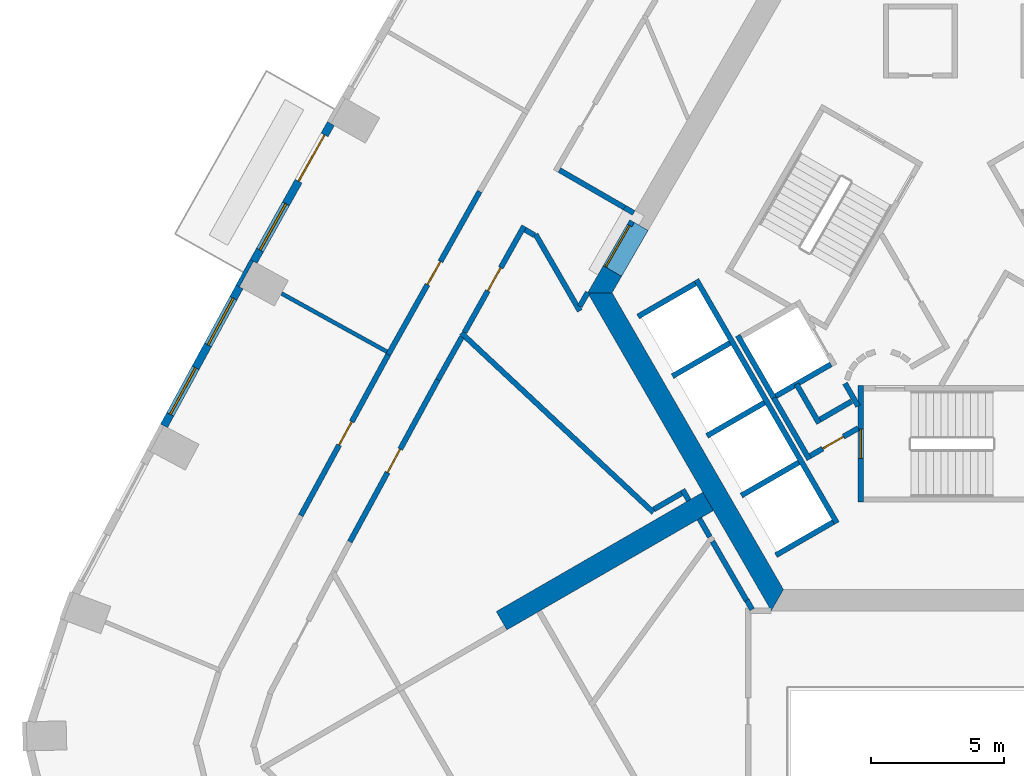
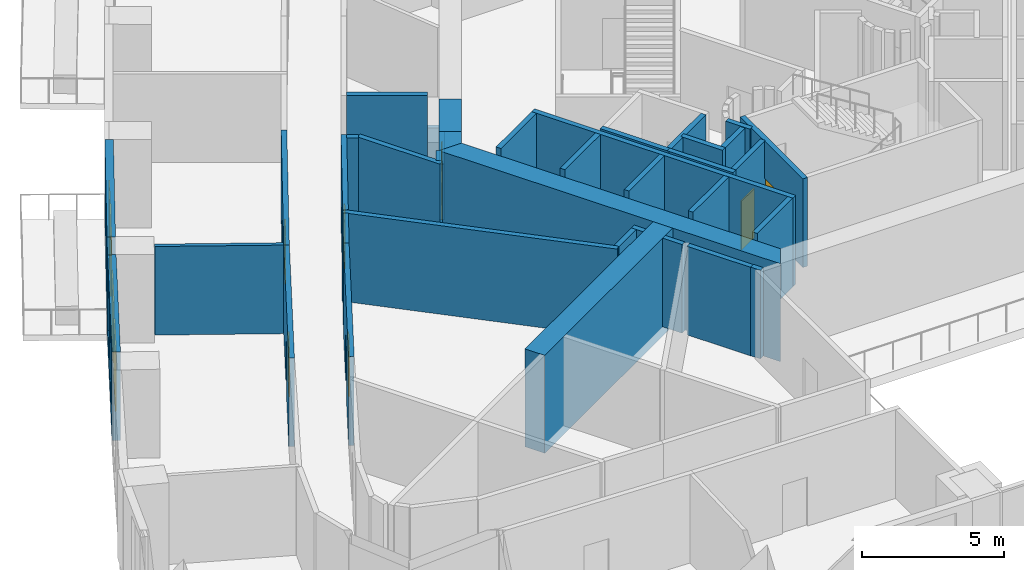
# One storey, part 5 of 15: 39 walls, 8 doors, 3 windows, 11 openings.
"""IFC4 building model written with IfcOpenShell, lengths in metres."""

from ifc_helpers import new_model, si_unit, direction, frame, frame_2d, origin, place, context, subcontext, project, spatial, polyline, rectangle, outline, extrude, material, layer, layer_set, type_object, element, fill, save


model = new_model("IFC4")

# Units and contexts
model_context = context("Model", 3, precision=1e-05, world=origin(), true_north=direction((0.0, 1.0)))
body_context = subcontext(model_context, "Body", "Model", "MODEL_VIEW")
ifc_project = project(units=[si_unit("LENGTHUNIT", "METRE"), si_unit("AREAUNIT", "SQUARE_METRE"), si_unit("VOLUMEUNIT", "CUBIC_METRE"), si_unit("PLANEANGLEUNIT", "RADIAN"), si_unit("MASSUNIT", "GRAM", prefix="KILO")], contexts=[model_context])

# Site, building, storey
site_placement = place(None, origin())
site = spatial("IfcSite", under=ifc_project, at=site_placement, CompositionType="ELEMENT")
building_placement = place(site_placement, origin())
building = spatial("IfcBuilding", under=site, at=building_placement, Name="Entoto Arch Interchange Tower", CompositionType="ELEMENT")
storey_placement = place(building_placement, frame((0.0, 0.0, 171.800048828125)))
storey = spatial("IfcBuildingStorey", under=building, at=storey_placement, Name="L38", CompositionType="ELEMENT", Elevation=171.800048828125)

# Wall
ifc_material_1 = material(Name="Concrete C50/60", Category="concrete")
ifc_layer_1 = layer(ifc_material_1, 0.800048828125)
ifc_layer_set_1 = layer_set([ifc_layer_1], Name="Concrete C50/60")
wall_type_1 = type_object("IfcWallType", Name="Buttress wall 800 C50/60", PredefinedType="SHEAR", material=ifc_layer_set_1)
wall_1_placement = place(storey_placement, frame((-9.31005859375, -5.375, -0.400146484375), z_axis=(0.0, 0.0, 1.0), x_axis=(-0.866017533419, -0.500013631625, 0.0)))
element("IfcWall", 1, at=wall_1_placement, inside=storey, type_object=wall_type_1, Name="Buttress wall SW L38", PredefinedType="SHEAR", context=body_context, shape_type="SweptSolid", body=[
    extrude(rectangle(XDim=8.999755859375, YDim=0.800048828125, at=frame_2d((4.5, 0.0))), origin(), (0.0, 0.0, 1.0), 4.2001953125),
])

# Wall, opening, door
ifc_material_2 = material(Name="Reinforced concrete C40/50", Category="concrete")
ifc_layer_2 = layer(ifc_material_2, 0.199951171875)
ifc_layer_set_2 = layer_set([ifc_layer_2], Name="Reinforced concrete C40/50")
wall_type_2 = type_object("IfcWallType", Name="CORE GAP INFILL WALL", PredefinedType="PARTITIONING", material=ifc_layer_set_2)
wall_2_placement = place(storey_placement, frame((-12.179931640625, 5.201904296875, 0.0), z_axis=(0.0, 0.0, 1.0), x_axis=(-0.50002537861, -0.866010750942, 0.0)))
wall_2 = element("IfcWall", 2, at=wall_2_placement, inside=storey, type_object=wall_type_2, Name="wall:L38:gap3", PredefinedType="PARTITIONING", context=body_context, shape_type="SweptSolid", body=[
    extrude(rectangle(XDim=2.0, YDim=0.199951171875, at=frame_2d((1.0, 0.0))), origin(), (0.0, 0.0, 1.0), 2.39990234375),
])
opening_1_placement = place(wall_2_placement, frame((0.18994140625, 0.0, 0.0)))
opening_1 = element("IfcOpeningElement", 3, at=opening_1_placement, cuts=wall_2, Name="Opening L38-D93", PredefinedType="OPENING", context=body_context, shape_type="SweptSolid", body=[
    extrude(rectangle(XDim=1.800048828125, YDim=2.10009765625, at=frame_2d((0.89990234375, 1.050048828125))), frame((0.0, 0.10986328125, 0.0), z_axis=(0.0, -1.0, 0.0), x_axis=(1.0, 0.0, 0.0)), (0.0, 0.0, 1.0), 0.219970703125),
])
ifc_material_3 = material(Name="Fire-rated Steel S235 door and frame", Category="steel")
door_type_1 = type_object("IfcDoorType", Name="DOOR FD-18 1800x2100", OperationType="DOUBLE_DOOR_SINGLE_SWING", PredefinedType="DOOR", material=ifc_material_3)
door_1_placement = place(opening_1_placement, origin())
door_1 = element("IfcDoor", 4, at=door_1_placement, inside=storey, type_object=door_type_1, Name="door:L38:gap3", OperationType="DOUBLE_DOOR_SINGLE_SWING", OverallHeight=2.10009765625, OverallWidth=1.800048828125, PredefinedType="DOOR", context=body_context, shape_type="SweptSolid", body=[
    extrude(rectangle(XDim=1.800048828125, YDim=2.10009765625, at=frame_2d((0.89990234375, 1.050048828125))), frame((0.0, 0.02490234375, 0.0), z_axis=(0.0, -1.0, 0.0), x_axis=(1.0, 0.0, 0.0)), (0.0, 0.0, 1.0), 0.050048828125),
])
fill(opening_1, door_1)

# Walls
ifc_layer_3 = layer(ifc_material_1, 0.800048828125)
ifc_layer_set_3 = layer_set([ifc_layer_3], Name="Concrete C50/60")
wall_type_3 = type_object("IfcWallType", Name="Core wall 800 C50/60", PredefinedType="SHEAR", material=ifc_layer_set_3)
wall_3_placement = place(storey_placement, frame((0.0, 0.0, -0.400146484375)))
element("IfcWall", 5, at=wall_3_placement, inside=storey, type_object=wall_type_3, Name="Core wall NW L38", PredefinedType="SHEAR", context=body_context, shape_type="SweptSolid", body=[
    extrude(outline(polyline([(-12.574951171875, 3.1201171875), (-13.26708984375, 3.52001953125), (-13.85595703125, 2.5), (-12.93310546875, 2.5), (-12.574951171875, 3.1201171875)])), origin(), (0.0, 0.0, 1.0), 4.2001953125),
])
wall_4_placement = place(storey_placement, frame((0.0, 0.0, 3.599853515625)))
element("IfcWall", 6, at=wall_4_placement, inside=storey, type_object=wall_type_3, Name="Core wall lintel NW L38", PredefinedType="SHEAR", context=body_context, shape_type="SweptSolid", body=[
    extrude(outline(polyline([(-13.26708984375, 3.52001953125), (-12.574951171875, 3.1201171875), (-11.574951171875, 4.85205078125), (-12.26708984375, 5.251953125), (-13.26708984375, 3.52001953125)])), origin(), (0.0, 0.0, 1.0), 0.2001953125),
])
wall_5_placement = place(storey_placement, frame((0.0, 0.0, -0.400146484375)))
element("IfcWall", 7, at=wall_5_placement, inside=storey, type_object=wall_type_3, Name="Core wall SW L38", PredefinedType="SHEAR", context=body_context, shape_type="SweptSolid", body=[
    extrude(outline(polyline([(-13.85595703125, 2.5), (-6.927978515625, -9.5), (-6.466064453125, -8.699951171875), (-12.93310546875, 2.5), (-13.85595703125, 2.5)])), origin(), (0.0, 0.0, 1.0), 4.2001953125),
])
ifc_material_4 = material(Name="Concrete C40/50", Category="concrete")
ifc_layer_4 = layer(ifc_material_4, 0.199951171875)
ifc_layer_set_4 = layer_set([ifc_layer_4], Name="Concrete C40/50")
wall_type_4 = type_object("IfcWallType", Name="LIFT SHAFT WALL 200", PredefinedType="STANDARD", material=ifc_layer_set_4)
wall_6_placement = place(storey_placement, frame((-8.19189453125, 0.887939453125, 0.0), z_axis=(0.0, 0.0, 1.0), x_axis=(0.49994636267, -0.866056369097, 0.0)))
element("IfcWall", 8, at=wall_6_placement, inside=storey, type_object=wall_type_4, Name="Shaft wall SW1 back", PredefinedType="STANDARD", context=body_context, shape_type="SweptSolid", body=[
    extrude(rectangle(XDim=2.800048828125, YDim=0.199951171875, at=frame_2d((1.39990234375, 0.0))), origin(), (0.0, 0.0, 1.0), 3.800048828125),
])
wall_7_placement = place(storey_placement, frame((-4.677001953125, -0.199951171875, 0.0), z_axis=(0.0, 0.0, 1.0), x_axis=(-0.865973769406, -0.500089422704, 0.0)))
element("IfcWall", 9, at=wall_7_placement, inside=storey, type_object=wall_type_4, Name="Shaft wall SW1 cross 2", PredefinedType="STANDARD", context=body_context, shape_type="SweptSolid", body=[
    extrude(rectangle(XDim=2.3994140625, YDim=0.199951171875, at=frame_2d((1.19970703125, 0.0))), origin(), (0.0, 0.0, 1.0), 3.800048828125),
])
wall_8_placement = place(storey_placement, frame((-9.7509765625, 2.989990234375, 0.0), z_axis=(0.0, 0.0, 1.0), x_axis=(0.50000090737, -0.866024879913, 0.0)))
element("IfcWall", 10, at=wall_8_placement, inside=storey, type_object=wall_type_4, Name="Shaft wall SW3 front", PredefinedType="STANDARD", context=body_context, shape_type="SweptSolid", body=[
    extrude(rectangle(XDim=10.60009765625, YDim=0.199951171875, at=frame_2d((5.300048828125, 0.0))), origin(), (0.0, 0.0, 1.0), 3.800048828125),
])
wall_9_placement = place(storey_placement, frame((-9.7880859375, 2.85302734375, 0.0), z_axis=(0.0, 0.0, 1.0), x_axis=(-0.865998541277, -0.500046524342, 0.0)))
element("IfcWall", 11, at=wall_9_placement, inside=storey, type_object=wall_type_4, Name="Shaft wall SW3 cross 1", PredefinedType="STANDARD", context=body_context, shape_type="SweptSolid", body=[
    extrude(rectangle(XDim=2.499755859375, YDim=0.199951171875, at=frame_2d((1.25, 0.0))), origin(), (0.0, 0.0, 1.0), 3.800048828125),
])
for number, where, z_axis, x_axis, name in (
    (12, (-8.488037109375, 0.60205078125, 0.0), (0.0, 0.0, 1.0), (-0.866022959057, -0.500004234368, 0.0), "Shaft wall SW3 cross 2"),
    (13, (-7.18798828125, -1.64990234375, 0.0), (0.0, 0.0, 1.0), (-0.866022959057, -0.500004234368, 0.0), "Shaft wall SW3 cross 3"),
    (14, (-5.887939453125, -3.902099609375, 0.0), (0.0, 0.0, 1.0), (-0.866022959057, -0.500004234368, 0.0), "Shaft wall SW3 cross 4"),
    (15, (-4.587890625, -6.153076171875, 0.0), (0.0, 0.0, 1.0), (-0.866022959057, -0.500004234368, 0.0), "Shaft wall SW3 cross 5"),
):
    element("IfcWall", number, at=place(storey_placement, frame(where, z_axis=z_axis, x_axis=x_axis)), inside=storey, type_object=wall_type_4, Name=name, PredefinedType="STANDARD", context=body_context, shape_type="SweptSolid", body=[
        extrude(rectangle(XDim=2.5, YDim=0.199951171875, at=frame_2d((1.25, 0.0))), origin(), (0.0, 0.0, 1.0), 3.800048828125),
    ])
ifc_material_5 = material(Name="Gypsum board partition on steel studs", Category="steel")
ifc_layer_5 = layer(ifc_material_5, 0.14990234375)
ifc_layer_set_5 = layer_set([ifc_layer_5], Name="Gypsum board partition on steel studs")
wall_type_5 = type_object("IfcWallType", Name="PARTITION 150", PredefinedType="PARTITIONING", material=ifc_layer_set_5)
wall_10_placement = place(storey_placement, frame((-21.431884765625, 0.278076171875, 0.0), z_axis=(0.0, 0.0, 1.0), x_axis=(-0.875412579047, 0.483376474857, 0.0)))
element("IfcWall", 16, at=wall_10_placement, inside=storey, type_object=wall_type_5, Name="wall:L38:p143", PredefinedType="PARTITIONING", context=body_context, shape_type="SweptSolid", body=[
    extrude(rectangle(XDim=4.530517578125, YDim=0.14990234375, at=frame_2d((2.26513671875, 0.0))), origin(), (0.0, 0.0, 1.0), 3.800048828125),
])
ifc_layer_6 = layer(ifc_material_5, 0.199951171875)
ifc_layer_set_6 = layer_set([ifc_layer_6], Name="Gypsum board partition on steel studs")
wall_type_6 = type_object("IfcWallType", Name="PARTITION 200", PredefinedType="PARTITIONING", material=ifc_layer_set_6)
wall_11_placement = place(storey_placement, frame((-14.922119140625, 7.131103515625, 0.0), z_axis=(0.0, 0.0, 1.0), x_axis=(0.866124025492, -0.499829143273, 0.0)))
element("IfcWall", 17, at=wall_11_placement, inside=storey, type_object=wall_type_6, Name="wall:L38:p004", PredefinedType="PARTITIONING", context=body_context, shape_type="SweptSolid", body=[
    extrude(rectangle(XDim=2.83935546875, YDim=0.199951171875, at=frame_2d((1.419677734375, 0.0))), origin(), (0.0, 0.0, 1.0), 3.800048828125),
])
wall_12_placement = place(storey_placement, frame((-13.85009765625, 2.513916015625, 0.0), z_axis=(0.0, 0.0, 1.0), x_axis=(-0.500418219013, -0.865783810244, 0.0)))
element("IfcWall", 18, at=wall_12_placement, inside=storey, type_object=wall_type_6, Name="wall:L38:p027", PredefinedType="PARTITIONING", context=body_context, shape_type="SweptSolid", body=[
    extrude(rectangle(XDim=0.607421875, YDim=0.199951171875, at=frame_2d((0.3037109375, 0.0))), origin(), (0.0, 0.0, 1.0), 3.800048828125),
])
wall_13_placement = place(storey_placement, frame((-14.154052734375, 1.81494140625, 0.0), z_axis=(0.0, 0.0, 1.0), x_axis=(-0.500038857296, 0.866002968352, 0.0)))
element("IfcWall", 19, at=wall_13_placement, inside=storey, type_object=wall_type_6, Name="wall:L38:p028", PredefinedType="PARTITIONING", context=body_context, shape_type="SweptSolid", body=[
    extrude(rectangle(XDim=3.339599609375, YDim=0.199951171875, at=frame_2d((1.669921875, 0.0))), origin(), (0.0, 0.0, 1.0), 3.800048828125),
])
wall_14_placement = place(storey_placement, frame((-15.860107421875, 4.6708984375, 0.0), z_axis=(0.0, 0.0, 1.0), x_axis=(-0.866047486323, 0.49996174997, 0.0)))
element("IfcWall", 20, at=wall_14_placement, inside=storey, type_object=wall_type_6, Name="wall:L38:p029", PredefinedType="PARTITIONING", context=body_context, shape_type="SweptSolid", body=[
    extrude(rectangle(XDim=0.412109375, YDim=0.199951171875, at=frame_2d((0.2060546875, 0.0))), origin(), (0.0, 0.0, 1.0), 3.800048828125),
])

# Wall, opening, door
wall_15_placement = place(storey_placement, frame((-16.2548828125, 5.013916015625, 0.0), z_axis=(0.0, 0.0, 1.0), x_axis=(-0.488988017817, -0.87229050117, 0.0)))
wall_15 = element("IfcWall", 21, at=wall_15_placement, inside=storey, type_object=wall_type_6, Name="wall:L38:p030", PredefinedType="PARTITIONING", context=body_context, shape_type="SweptSolid", body=[
    extrude(rectangle(XDim=4.599365234375, YDim=0.199951171875, at=frame_2d((2.2998046875, 0.0))), origin(), (0.0, 0.0, 1.0), 3.800048828125),
])
opening_2_placement = place(wall_15_placement, frame((1.800048828125, 0.0, 0.0)))
opening_2 = element("IfcOpeningElement", 22, at=opening_2_placement, cuts=wall_15, Name="Opening L38-D17", PredefinedType="OPENING", context=body_context, shape_type="SweptSolid", body=[
    extrude(rectangle(XDim=1.0, YDim=2.10009765625, at=frame_2d((0.5, 1.050048828125))), frame((0.0, 0.10986328125, 0.0), z_axis=(0.0, -1.0, 0.0), x_axis=(1.0, 0.0, 0.0)), (0.0, 0.0, 1.0), 0.219970703125),
])
ifc_material_6 = material(Name="Timber door leaf in Steel S235 frame", Category="steel")
door_type_2 = type_object("IfcDoorType", Name="DOOR DS-10 1000x2100", OperationType="SINGLE_SWING_LEFT", PredefinedType="DOOR", material=ifc_material_6)
door_2_placement = place(opening_2_placement, origin())
door_2 = element("IfcDoor", 23, at=door_2_placement, inside=storey, type_object=door_type_2, Name="door:L38:17", OperationType="SINGLE_SWING_LEFT", OverallHeight=2.10009765625, OverallWidth=1.0, PredefinedType="DOOR", context=body_context, shape_type="SweptSolid", body=[
    extrude(rectangle(XDim=1.0, YDim=2.10009765625, at=frame_2d((0.5, 1.050048828125))), frame((0.0, 0.02490234375, 0.0), z_axis=(0.0, -1.0, 0.0), x_axis=(1.0, 0.0, 0.0)), (0.0, 0.0, 1.0), 0.050048828125),
])
fill(opening_2, door_2)

# Wall
wall_16_placement = place(storey_placement, frame((-18.60205078125, 0.827880859375, 0.0), z_axis=(0.0, 0.0, 1.0), x_axis=(-0.488969229043, -0.872301033502, 0.0)))
element("IfcWall", 24, at=wall_16_placement, inside=storey, type_object=wall_type_6, Name="wall:L38:p032", PredefinedType="PARTITIONING", context=body_context, shape_type="SweptSolid", body=[
    extrude(rectangle(XDim=1.848876953125, YDim=0.199951171875, at=frame_2d((0.92431640625, 0.0))), origin(), (0.0, 0.0, 1.0), 3.800048828125),
])

# Wall, opening, door
wall_17_placement = place(storey_placement, frame((-19.506103515625, -0.784912109375, 0.0), z_axis=(0.0, 0.0, 1.0), x_axis=(-0.477513909405, -0.878624189472, 0.0)))
wall_17 = element("IfcWall", 25, at=wall_17_placement, inside=storey, type_object=wall_type_6, Name="wall:L38:p033", PredefinedType="PARTITIONING", context=body_context, shape_type="SweptSolid", body=[
    extrude(rectangle(XDim=6.956298828125, YDim=0.199951171875, at=frame_2d((3.47802734375, 0.0))), origin(), (0.0, 0.0, 1.0), 3.800048828125),
])
opening_3_placement = place(wall_17_placement, frame((2.97802734375, 0.0, 0.0)))
opening_3 = element("IfcOpeningElement", 26, at=opening_3_placement, cuts=wall_17, Name="Opening L38-D19", PredefinedType="OPENING", context=body_context, shape_type="SweptSolid", body=[
    extrude(rectangle(XDim=1.0, YDim=2.10009765625, at=frame_2d((0.5, 1.050048828125))), frame((0.0, 0.10986328125, 0.0), z_axis=(0.0, -1.0, 0.0), x_axis=(1.0, 0.0, 0.0)), (0.0, 0.0, 1.0), 0.219970703125),
])
door_3_placement = place(opening_3_placement, origin())
door_3 = element("IfcDoor", 27, at=door_3_placement, inside=storey, type_object=door_type_2, Name="door:L38:19", OperationType="SINGLE_SWING_LEFT", OverallHeight=2.10009765625, OverallWidth=1.0, PredefinedType="DOOR", context=body_context, shape_type="SweptSolid", body=[
    extrude(rectangle(XDim=1.0, YDim=2.10009765625, at=frame_2d((0.5, 1.050048828125))), frame((0.0, 0.02490234375, 0.0), z_axis=(0.0, -1.0, 0.0), x_axis=(1.0, 0.0, 0.0)), (0.0, 0.0, 1.0), 0.050048828125),
])
fill(opening_3, door_3)

wall_18_placement = place(storey_placement, frame((-21.381103515625, 0.1650390625, 0.0), z_axis=(0.0, 0.0, 1.0), x_axis=(0.489014139272, 0.872275857509, 0.0)))
wall_18 = element("IfcWall", 28, at=wall_18_placement, inside=storey, type_object=wall_type_6, Name="wall:L38:p068", PredefinedType="PARTITIONING", context=body_context, shape_type="SweptSolid", body=[
    extrude(rectangle(XDim=7.057373046875, YDim=0.199951171875, at=frame_2d((3.52880859375, 0.0))), origin(), (0.0, 0.0, 1.0), 3.800048828125),
])
opening_4_placement = place(wall_18_placement, frame((3.029052734375, 0.0, 0.0)))
opening_4 = element("IfcOpeningElement", 29, at=opening_4_placement, cuts=wall_18, Name="Opening L38-D10", PredefinedType="OPENING", context=body_context, shape_type="SweptSolid", body=[
    extrude(rectangle(XDim=1.0, YDim=2.10009765625, at=frame_2d((0.5, 1.050048828125))), frame((0.0, 0.10986328125, 0.0), z_axis=(0.0, -1.0, 0.0), x_axis=(1.0, 0.0, 0.0)), (0.0, 0.0, 1.0), 0.219970703125),
])
door_4_placement = place(opening_4_placement, origin())
door_4 = element("IfcDoor", 30, at=door_4_placement, inside=storey, type_object=door_type_2, Name="door:L38:10", OperationType="SINGLE_SWING_RIGHT", OverallHeight=2.10009765625, OverallWidth=1.0, PredefinedType="DOOR", context=body_context, shape_type="SweptSolid", body=[
    extrude(rectangle(XDim=1.0, YDim=2.10009765625, at=frame_2d((0.5, 1.050048828125))), frame((0.0, 0.02490234375, 0.0), z_axis=(0.0, -1.0, 0.0), x_axis=(1.0, 0.0, 0.0)), (0.0, 0.0, 1.0), 0.050048828125),
])
fill(opening_4, door_4)

wall_19_placement = place(storey_placement, frame((-24.679931640625, -5.906005859375, 0.0), z_axis=(0.0, 0.0, 1.0), x_axis=(0.47757676389, 0.878590026459, 0.0)))
wall_19 = element("IfcWall", 31, at=wall_19_placement, inside=storey, type_object=wall_type_6, Name="wall:L38:p071", PredefinedType="PARTITIONING", context=body_context, shape_type="SweptSolid", body=[
    extrude(rectangle(XDim=6.909912109375, YDim=0.199951171875, at=frame_2d((3.455078125, 0.0))), origin(), (0.0, 0.0, 1.0), 3.800048828125),
])
opening_5_placement = place(wall_19_placement, frame((3.029052734375, 0.0, 0.0)))
opening_5 = element("IfcOpeningElement", 32, at=opening_5_placement, cuts=wall_19, Name="Opening L38-D11", PredefinedType="OPENING", context=body_context, shape_type="SweptSolid", body=[
    extrude(rectangle(XDim=1.0, YDim=2.10009765625, at=frame_2d((0.5, 1.050048828125))), frame((0.0, 0.10986328125, 0.0), z_axis=(0.0, -1.0, 0.0), x_axis=(1.0, 0.0, 0.0)), (0.0, 0.0, 1.0), 0.219970703125),
])
door_5_placement = place(opening_5_placement, origin())
door_5 = element("IfcDoor", 33, at=door_5_placement, inside=storey, type_object=door_type_2, Name="door:L38:11", OperationType="SINGLE_SWING_LEFT", OverallHeight=2.10009765625, OverallWidth=1.0, PredefinedType="DOOR", context=body_context, shape_type="SweptSolid", body=[
    extrude(rectangle(XDim=1.0, YDim=2.10009765625, at=frame_2d((0.5, 1.050048828125))), frame((0.0, 0.02490234375, 0.0), z_axis=(0.0, -1.0, 0.0), x_axis=(1.0, 0.0, 0.0)), (0.0, 0.0, 1.0), 0.050048828125),
])
fill(opening_5, door_5)

# Walls
wall_20_placement = place(storey_placement, frame((-3.89990234375, -1.59912109375, 0.0), z_axis=(0.0, 0.0, 1.0), x_axis=(-0.865969445389, -0.500096910261, 0.0)))
element("IfcWall", 34, at=wall_20_placement, inside=storey, type_object=wall_type_6, Name="wall:L38:p092", PredefinedType="PARTITIONING", context=body_context, shape_type="SweptSolid", body=[
    extrude(rectangle(XDim=1.373291015625, YDim=0.199951171875, at=frame_2d((0.6865234375, 0.0))), origin(), (0.0, 0.0, 1.0), 3.800048828125),
])
wall_21_placement = place(storey_placement, frame((-5.1259765625, -2.422119140625, 0.0), z_axis=(0.0, 0.0, 1.0), x_axis=(-0.500062241894, 0.865989465428, 0.0)))
element("IfcWall", 35, at=wall_21_placement, inside=storey, type_object=wall_type_6, Name="wall:L38:p093", PredefinedType="PARTITIONING", context=body_context, shape_type="SweptSolid", body=[
    extrude(rectangle(XDim=1.699951171875, YDim=0.199951171875, at=frame_2d((0.85009765625, 0.0))), origin(), (0.0, 0.0, 1.0), 3.800048828125),
])

# Wall, opening, door
wall_22_placement = place(storey_placement, frame((-3.64990234375, -2.610107421875, 0.0), z_axis=(0.0, 0.0, 1.0), x_axis=(-0.866072462134, -0.499918483688, 0.0)))
wall_22 = element("IfcWall", 36, at=wall_22_placement, inside=storey, type_object=wall_type_6, Name="wall:L38:p094", PredefinedType="PARTITIONING", context=body_context, shape_type="SweptSolid", body=[
    extrude(rectangle(XDim=2.084228515625, YDim=0.199951171875, at=frame_2d((1.0419921875, 0.0))), origin(), (0.0, 0.0, 1.0), 3.800048828125),
])
opening_6_placement = place(wall_22_placement, frame((0.64208984375, 0.0, 0.0)))
opening_6 = element("IfcOpeningElement", 37, at=opening_6_placement, cuts=wall_22, Name="Opening L38-D30", PredefinedType="OPENING", context=body_context, shape_type="SweptSolid", body=[
    extrude(rectangle(XDim=0.89990234375, YDim=2.10009765625, at=frame_2d((0.449951171875, 1.050048828125))), frame((0.0, 0.10986328125, 0.0), z_axis=(0.0, -1.0, 0.0), x_axis=(1.0, 0.0, 0.0)), (0.0, 0.0, 1.0), 0.219970703125),
])
door_type_3 = type_object("IfcDoorType", Name="DOOR DS-09 900x2100", OperationType="SINGLE_SWING_LEFT", PredefinedType="DOOR", material=ifc_material_6)
door_6_placement = place(opening_6_placement, origin())
door_6 = element("IfcDoor", 38, at=door_6_placement, inside=storey, type_object=door_type_3, Name="door:L38:30", OperationType="SINGLE_SWING_LEFT", OverallHeight=2.10009765625, OverallWidth=0.89990234375, PredefinedType="DOOR", context=body_context, shape_type="SweptSolid", body=[
    extrude(rectangle(XDim=0.89990234375, YDim=2.10009765625, at=frame_2d((0.449951171875, 1.050048828125))), frame((0.0, 0.02490234375, 0.0), z_axis=(0.0, -1.0, 0.0), x_axis=(1.0, 0.0, 0.0)), (0.0, 0.0, 1.0), 0.050048828125),
])
fill(opening_6, door_6)

# Walls
wall_23_placement = place(storey_placement, frame((-5.491943359375, -3.7880859375, 0.0), z_axis=(0.0, 0.0, 1.0), x_axis=(-0.500008949224, 0.866020236886, 0.0)))
element("IfcWall", 39, at=wall_23_placement, inside=storey, type_object=wall_type_6, Name="wall:L38:p095", PredefinedType="PARTITIONING", context=body_context, shape_type="SweptSolid", body=[
    extrude(rectangle(XDim=2.68017578125, YDim=0.199951171875, at=frame_2d((1.340087890625, 0.0))), origin(), (0.0, 0.0, 1.0), 3.800048828125),
])
wall_24_placement = place(storey_placement, frame((-4.14501953125, -0.919921875, 0.0), z_axis=(0.0, 0.0, 1.0), x_axis=(0.499743786207, -0.866173278362, 0.0)))
element("IfcWall", 40, at=wall_24_placement, inside=storey, type_object=wall_type_6, Name="wall:L38:p096", PredefinedType="PARTITIONING", context=body_context, shape_type="SweptSolid", body=[
    extrude(rectangle(XDim=0.99072265625, YDim=0.199951171875, at=frame_2d((0.495361328125, 0.0))), origin(), (0.0, 0.0, 1.0), 3.800048828125),
])
wall_25_placement = place(storey_placement, frame((-7.862060546875, -9.10693359375, 0.0), z_axis=(0.0, 0.0, 1.0), x_axis=(-0.499994038704, 0.866028845513, 0.0)))
element("IfcWall", 41, at=wall_25_placement, inside=storey, type_object=wall_type_6, Name="wall:L38:p122", PredefinedType="PARTITIONING", context=body_context, shape_type="SweptSolid", body=[
    extrude(rectangle(XDim=2.56787109375, YDim=0.199951171875, at=frame_2d((1.283935546875, 0.0))), origin(), (0.0, 0.0, 1.0), 3.800048828125),
])
wall_26_placement = place(storey_placement, frame((-7.64990234375, -9.450927734375, 0.0), z_axis=(0.0, 0.0, 1.0), x_axis=(-0.500297731093, 0.865853440406, 0.0)))
element("IfcWall", 42, at=wall_26_placement, inside=storey, type_object=wall_type_6, Name="wall:L38:p123", PredefinedType="PARTITIONING", context=body_context, shape_type="SweptSolid", body=[
    extrude(rectangle(XDim=0.404052734375, YDim=0.199951171875, at=frame_2d((0.2021484375, 0.0))), origin(), (0.0, 0.0, 1.0), 3.800048828125),
])
wall_27_placement = place(storey_placement, frame((-9.24609375, -6.7099609375, 0.0), z_axis=(0.0, 0.0, 1.0), x_axis=(-0.499570510076, 0.86627322795, 0.0)))
element("IfcWall", 43, at=wall_27_placement, inside=storey, type_object=wall_type_6, Name="wall:L38:p124", PredefinedType="PARTITIONING", context=body_context, shape_type="SweptSolid", body=[
    extrude(rectangle(XDim=0.788330078125, YDim=0.199951171875, at=frame_2d((0.39404296875, 0.0))), origin(), (0.0, 0.0, 1.0), 3.800048828125),
])
wall_28_placement = place(storey_placement, frame((-10.31005859375, -5.06591796875, 0.0), z_axis=(0.0, 0.0, 1.0), x_axis=(-0.865587329375, -0.500758000661, 0.0)))
element("IfcWall", 44, at=wall_28_placement, inside=storey, type_object=wall_type_6, Name="wall:L38:p125", PredefinedType="PARTITIONING", context=body_context, shape_type="SweptSolid", body=[
    extrude(rectangle(XDim=1.21044921875, YDim=0.199951171875, at=frame_2d((0.605224609375, 0.0))), origin(), (0.0, 0.0, 1.0), 3.800048828125),
])
wall_29_placement = place(storey_placement, frame((-11.3720703125, -5.7900390625, 0.0), z_axis=(0.0, 0.0, 1.0), x_axis=(-0.730922728623, 0.682460229451, 0.0)))
element("IfcWall", 45, at=wall_29_placement, inside=storey, type_object=wall_type_6, Name="wall:L38:p126", PredefinedType="PARTITIONING", context=body_context, shape_type="SweptSolid", body=[
    extrude(rectangle(XDim=9.92431640625, YDim=0.199951171875, at=frame_2d((4.962158203125, 0.0))), origin(), (0.0, 0.0, 1.0), 3.800048828125),
])
wall_30_placement = place(storey_placement, frame((-10.0400390625, -5.333984375, 0.0), z_axis=(0.0, 0.0, 1.0), x_axis=(-0.499405191234, 0.86636854454, 0.0)))
element("IfcWall", 46, at=wall_30_placement, inside=storey, type_object=wall_type_6, Name="wall:L38:p124", PredefinedType="PARTITIONING", context=body_context, shape_type="SweptSolid", body=[
    extrude(rectangle(XDim=0.46630859375, YDim=0.199951171875, at=frame_2d((0.233154296875, 0.0))), origin(), (0.0, 0.0, 1.0), 3.800048828125),
])
wall_31_placement = place(storey_placement, frame((-12.462890625, 5.7119140625, 0.0), z_axis=(0.0, 0.0, 1.0), x_axis=(0.865788603161, -0.500409926597, 0.0)))
element("IfcWall", 47, at=wall_31_placement, inside=storey, type_object=wall_type_6, Name="wall:L38:p004", PredefinedType="PARTITIONING", context=body_context, shape_type="SweptSolid", body=[
    extrude(rectangle(XDim=0.399658203125, YDim=0.199951171875, at=frame_2d((0.19970703125, 0.0))), origin(), (0.0, 0.0, 1.0), 2.39990234375),
])

# Wall, opening, door
ifc_layer_7 = layer(ifc_material_4, 0.199951171875)
ifc_layer_set_7 = layer_set([ifc_layer_7], Name="Concrete C40/50")
wall_type_7 = type_object("IfcWallType", Name="STAIR ENCLOSURE WALL 200", PredefinedType="STANDARD", material=ifc_layer_set_7)
wall_32_placement = place(storey_placement, frame((-3.550048828125, -1.0, 0.0), z_axis=(0.0, 0.0, 1.0), x_axis=(0.0, -1.0, 0.0)))
wall_32 = element("IfcWall", 48, at=wall_32_placement, inside=storey, type_object=wall_type_7, Name="Stair wall ST-S near", PredefinedType="STANDARD", context=body_context, shape_type="SweptSolid", body=[
    extrude(rectangle(XDim=4.39990234375, YDim=0.199951171875, at=frame_2d((2.199951171875, 0.0))), origin(), (0.0, 0.0, 1.0), 3.800048828125),
])
opening_7_placement = place(wall_32_placement, frame((1.64990234375, 0.0, 0.0)))
opening_7 = element("IfcOpeningElement", 49, at=opening_7_placement, cuts=wall_32, Name="Opening SD-ST-S-L38-E", PredefinedType="OPENING", context=body_context, shape_type="SweptSolid", body=[
    extrude(rectangle(XDim=1.10009765625, YDim=2.199951171875, at=frame_2d((0.550048828125, 1.10009765625))), frame((0.0, 0.10986328125, 0.0), z_axis=(0.0, -1.0, 0.0), x_axis=(1.0, 0.0, 0.0)), (0.0, 0.0, 1.0), 0.219970703125),
])
ifc_material_7 = material(Name="Steel S235", Category="steel")
door_type_4 = type_object("IfcDoorType", Name="STAIR DOOR SD1 1100x2200", OperationType="SINGLE_SWING_LEFT", PredefinedType="DOOR", material=ifc_material_7)
door_7_placement = place(opening_7_placement, origin())
door_7 = element("IfcDoor", 50, at=door_7_placement, inside=storey, type_object=door_type_4, Name="Stair door ST-S L38 end", OperationType="SINGLE_SWING_LEFT", OverallHeight=2.199951171875, OverallWidth=1.10009765625, PredefinedType="DOOR", context=body_context, shape_type="SweptSolid", body=[
    extrude(rectangle(XDim=1.10009765625, YDim=2.199951171875, at=frame_2d((0.550048828125, 1.10009765625))), frame((0.0, 0.02490234375, 0.0), z_axis=(0.0, -1.0, 0.0), x_axis=(1.0, 0.0, 0.0)), (0.0, 0.0, 1.0), 0.050048828125),
])
fill(opening_7, door_7)

# Wall, openings, door, window
ifc_material_8 = material(Name="Welded tuff (ignimbrite) cladding, warm buff", Category="masonry")
ifc_layer_8 = layer(ifc_material_8, 0.300048828125)
ifc_layer_set_8 = layer_set([ifc_layer_8], Name="Welded tuff (ignimbrite) cladding, warm buff")
wall_type_8 = type_object("IfcWallType", Name="STONE INFILL WALL 300", PredefinedType="STANDARD", material=ifc_layer_set_8)
wall_33_placement = place(storey_placement, frame((-23.5439453125, 8.883056640625, 0.0), z_axis=(0.0, 0.0, 1.0), x_axis=(-0.489032196971, -0.87226573378, 0.0)))
wall_33 = element("IfcWall", 51, at=wall_33_placement, inside=storey, type_object=wall_type_8, Name="Facade wall NW-05 L38", PredefinedType="STANDARD", context=body_context, shape_type="SweptSolid", body=[
    extrude(rectangle(XDim=5.962890625, YDim=0.300048828125, at=frame_2d((2.9814453125, 0.0))), origin(), (0.0, 0.0, 1.0), 3.800048828125),
])
opening_8_placement = place(wall_33_placement, frame((0.490966796875, 0.0, 0.0)))
opening_8 = element("IfcOpeningElement", 52, at=opening_8_placement, cuts=wall_33, Name="Opening DB-NW-05-L38", PredefinedType="OPENING", context=body_context, shape_type="SweptSolid", body=[
    extrude(rectangle(XDim=2.0, YDim=2.39990234375, at=frame_2d((1.0, 1.199951171875))), frame((0.0, 0.16015625, 0.0), z_axis=(0.0, -1.0, 0.0), x_axis=(1.0, 0.0, 0.0)), (0.0, 0.0, 1.0), 0.320068359375),
])
opening_9_placement = place(wall_33_placement, frame((3.471923828125, 0.0, 0.89990234375)))
opening_9 = element("IfcOpeningElement", 53, at=opening_9_placement, cuts=wall_33, Name="Opening WO-C", PredefinedType="OPENING", context=body_context, shape_type="SweptSolid", body=[
    extrude(rectangle(XDim=2.0, YDim=2.60009765625, at=frame_2d((1.0, 1.300048828125))), frame((0.0, 0.16015625, 0.0), z_axis=(0.0, -1.0, 0.0), x_axis=(1.0, 0.0, 0.0)), (0.0, 0.0, 1.0), 0.320068359375),
])
ifc_material_9 = material(Name="Aluminium and clear glass, anodised", Category="aluminium")
door_type_5 = type_object("IfcDoorType", Name="BALCONY DOOR DB 2000x2400", OperationType="SLIDING_TO_LEFT", PredefinedType="DOOR", material=ifc_material_9)
door_8_placement = place(opening_8_placement, origin())
door_8 = element("IfcDoor", 54, at=door_8_placement, inside=storey, type_object=door_type_5, Name="Balcony door NW-05 L38", OperationType="SLIDING_TO_LEFT", OverallHeight=2.39990234375, OverallWidth=2.0, PredefinedType="DOOR", context=body_context, shape_type="SweptSolid", body=[
    extrude(rectangle(XDim=2.0, YDim=2.39990234375, at=frame_2d((1.0, 1.199951171875))), frame((0.0, 0.02490234375, 0.0), z_axis=(0.0, -1.0, 0.0), x_axis=(1.0, 0.0, 0.0)), (0.0, 0.0, 1.0), 0.050048828125),
])
fill(opening_8, door_8)
ifc_material_10 = material(Name="Clear glass, low-e double glazed", Category="glass")
window_type = type_object("IfcWindowType", Name="WINDOW WO-C 2000x2600", PartitioningType="DOUBLE_PANEL_VERTICAL", PredefinedType="WINDOW", material=ifc_material_10)
window_1_placement = place(opening_9_placement, origin())
window_1 = element("IfcWindow", 55, at=window_1_placement, inside=storey, type_object=window_type, Name="Window WO-C NW-05 L38", OverallHeight=2.60009765625, OverallWidth=2.0, PartitioningType="SINGLE_PANEL", PredefinedType="WINDOW", context=body_context, shape_type="SweptSolid", body=[
    extrude(rectangle(XDim=2.0, YDim=2.60009765625, at=frame_2d((1.0, 1.300048828125))), frame((0.0, 0.030029296875, 0.0), z_axis=(0.0, -1.0, 0.0), x_axis=(1.0, 0.0, 0.0)), (0.0, 0.0, 1.0), 0.06005859375),
])
fill(opening_9, window_1)

# Wall, openings, windows
wall_34_placement = place(storey_placement, frame((-26.990966796875, 2.719970703125, 0.0), z_axis=(0.0, 0.0, 1.0), x_axis=(-0.477555226268, -0.878601733361, 0.0)))
wall_34 = element("IfcWall", 56, at=wall_34_placement, inside=storey, type_object=wall_type_8, Name="Facade wall NW-06 L38", PredefinedType="STANDARD", context=body_context, shape_type="SweptSolid", body=[
    extrude(rectangle(XDim=5.964111328125, YDim=0.300048828125, at=frame_2d((2.98193359375, 0.0))), origin(), (0.0, 0.0, 1.0), 3.800048828125),
])
opening_10_placement = place(wall_34_placement, frame((0.490966796875, 0.0, 0.89990234375)))
opening_10 = element("IfcOpeningElement", 57, at=opening_10_placement, cuts=wall_34, Name="Opening WO-C", PredefinedType="OPENING", context=body_context, shape_type="SweptSolid", body=[
    extrude(rectangle(XDim=2.0, YDim=2.60009765625, at=frame_2d((1.0, 1.300048828125))), frame((0.0, 0.16015625, 0.0), z_axis=(0.0, -1.0, 0.0), x_axis=(1.0, 0.0, 0.0)), (0.0, 0.0, 1.0), 0.320068359375),
])
opening_11_placement = place(wall_34_placement, frame((3.472900390625, 0.0, 0.89990234375)))
opening_11 = element("IfcOpeningElement", 58, at=opening_11_placement, cuts=wall_34, Name="Opening WO-C", PredefinedType="OPENING", context=body_context, shape_type="SweptSolid", body=[
    extrude(rectangle(XDim=2.0, YDim=2.60009765625, at=frame_2d((1.0, 1.300048828125))), frame((0.0, 0.16015625, 0.0), z_axis=(0.0, -1.0, 0.0), x_axis=(1.0, 0.0, 0.0)), (0.0, 0.0, 1.0), 0.320068359375),
])
window_2_placement = place(opening_10_placement, origin())
window_2 = element("IfcWindow", 59, at=window_2_placement, inside=storey, type_object=window_type, Name="Window WO-C NW-06 L38", OverallHeight=2.60009765625, OverallWidth=2.0, PartitioningType="SINGLE_PANEL", PredefinedType="WINDOW", context=body_context, shape_type="SweptSolid", body=[
    extrude(rectangle(XDim=2.0, YDim=2.60009765625, at=frame_2d((1.0, 1.300048828125))), frame((0.0, 0.030029296875, 0.0), z_axis=(0.0, -1.0, 0.0), x_axis=(1.0, 0.0, 0.0)), (0.0, 0.0, 1.0), 0.06005859375),
])
fill(opening_10, window_2)
window_3_placement = place(opening_11_placement, origin())
window_3 = element("IfcWindow", 60, at=window_3_placement, inside=storey, type_object=window_type, Name="Window WO-C NW-06 L38", OverallHeight=2.60009765625, OverallWidth=2.0, PartitioningType="SINGLE_PANEL", PredefinedType="WINDOW", context=body_context, shape_type="SweptSolid", body=[
    extrude(rectangle(XDim=2.0, YDim=2.60009765625, at=frame_2d((1.0, 1.300048828125))), frame((0.0, 0.030029296875, 0.0), z_axis=(0.0, -1.0, 0.0), x_axis=(1.0, 0.0, 0.0)), (0.0, 0.0, 1.0), 0.06005859375),
])
fill(opening_11, window_3)

# Wall
ifc_layer_9 = layer(ifc_material_8, 0.14990234375)
ifc_layer_set_9 = layer_set([ifc_layer_9], Name="Welded tuff (ignimbrite) cladding, warm buff")
wall_type_9 = type_object("IfcWallType", Name="STONE PIER CLADDING 150", PredefinedType="STANDARD", material=ifc_layer_set_9)
wall_35_placement = place(storey_placement, frame((-26.529052734375, 3.720947265625, 0.0), z_axis=(0.0, 0.0, 1.0), x_axis=(-0.481850587491, -0.876253394478, 0.0)))
element("IfcWall", 61, at=wall_35_placement, inside=storey, type_object=wall_type_9, Name="Stone pier NW06 L38", PredefinedType="STANDARD", context=body_context, shape_type="SweptSolid", body=[
    extrude(rectangle(XDim=1.10009765625, YDim=0.14990234375, at=frame_2d((0.550048828125, 0.0))), origin(), (0.0, 0.0, 1.0), 3.800048828125),
])

save(model, "model.ifc")
